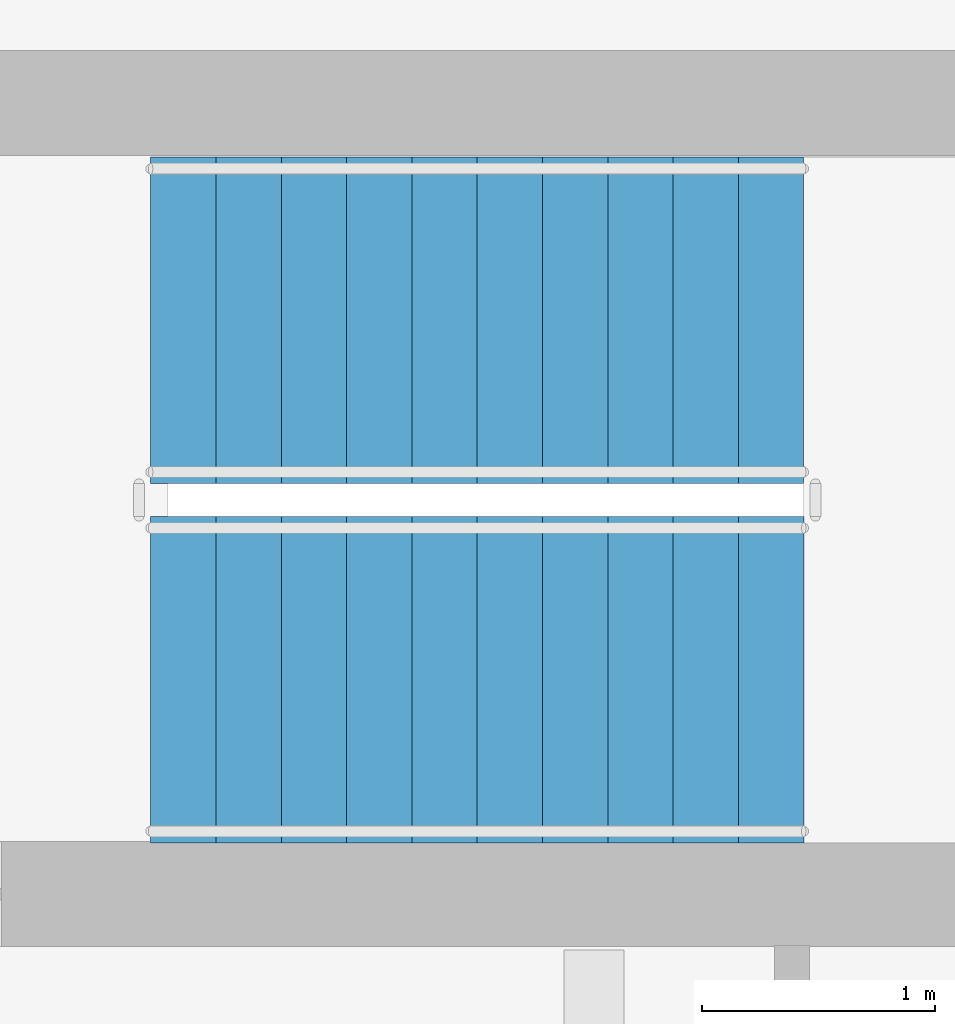
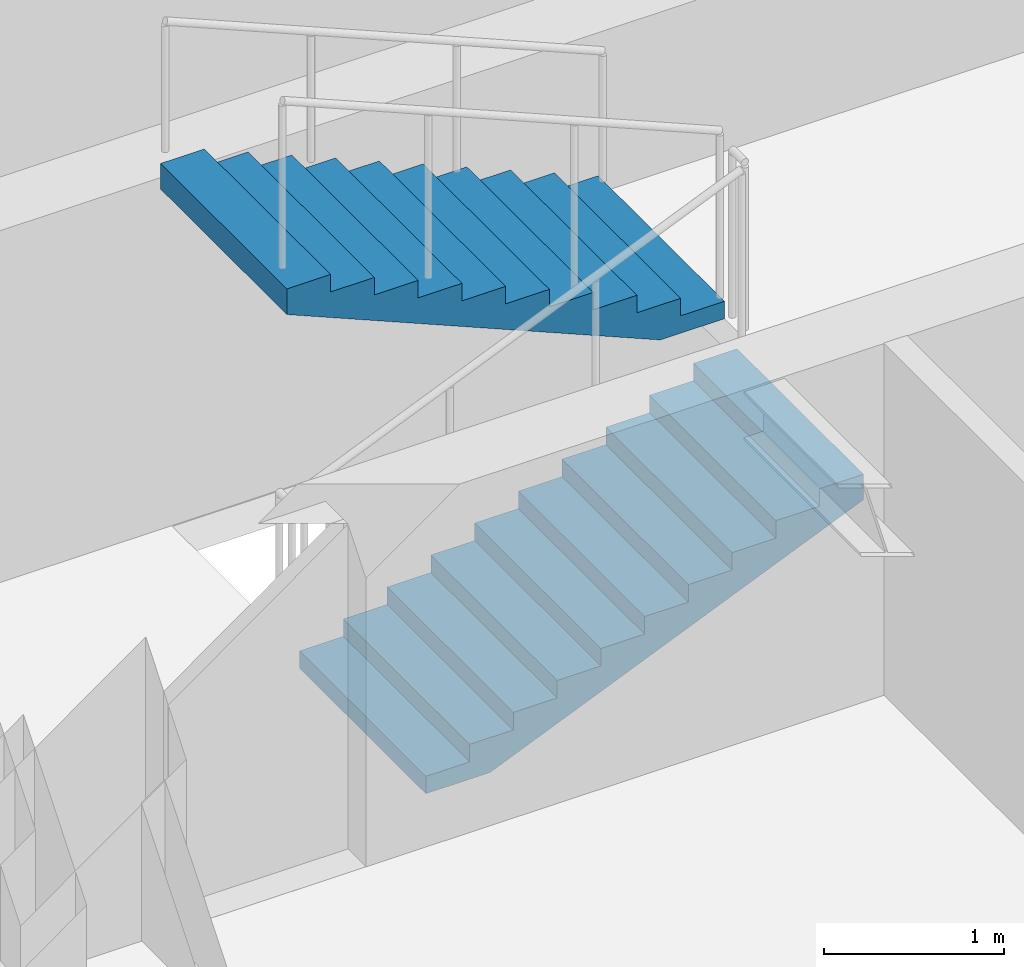
# One storey, part 3 of 4: 2 stair flights, 1 element without a shape of its own.
"""IFC4 building model written with IfcOpenShell, lengths in metres."""

from ifc_helpers import new_model, si_unit, direction, frame, origin, place, context, subcontext, project, spatial, polyline, outline, extrude, material, type_object, element, aggregate, save


model = new_model("IFC4")

# Units and contexts
model_context = context("Model", 3, precision=1e-05, world=origin(), true_north=direction((0.0, 1.0)))
body_context = subcontext(model_context, "Body", "Model", "MODEL_VIEW")
ifc_project = project(units=[si_unit("LENGTHUNIT", "METRE"), si_unit("AREAUNIT", "SQUARE_METRE"), si_unit("VOLUMEUNIT", "CUBIC_METRE"), si_unit("PLANEANGLEUNIT", "RADIAN"), si_unit("MASSUNIT", "GRAM", prefix="KILO")], contexts=[model_context])

# Site, building, storey
site_placement = place(None, origin())
site = spatial("IfcSite", under=ifc_project, at=site_placement, CompositionType="ELEMENT")
building_placement = place(site_placement, origin())
building = spatial("IfcBuilding", under=site, at=building_placement, Name="Mirazonda Arch Towers", CompositionType="ELEMENT")
storey_placement = place(building_placement, frame((0.0, 0.0, 271.300048828125)))
storey = spatial("IfcBuildingStorey", under=building, at=storey_placement, Name="L78", CompositionType="ELEMENT", Elevation=271.300048828125)

# Stair, stair flights
ifc_material = material(Name="Concrete C40/50", Category="concrete")
stair_type = type_object("IfcStairType", Name="STAIR-CORE-1400", PredefinedType="HALF_TURN_STAIR", material=ifc_material)
stair_placement = place(storey_placement, origin())
stair = element("IfcStair", 1, at=stair_placement, inside=storey, type_object=stair_type, Name="L78 Protected Exit Stair ST-T1N", PredefinedType="HALF_TURN_STAIR")
stair_flight_type = type_object("IfcStairFlightType", Name="FLIGHT-1400", PredefinedType="STRAIGHT", material=ifc_material)
stair_flight_1_placement = place(storey_placement, frame((13.85009765625, 38.52001953125, 0.0), z_axis=(0.0, 0.0, 1.0), x_axis=(1.0, 0.0, 0.0)))
stair_flight_1 = element("IfcStairFlight", 2, at=stair_flight_1_placement, type_object=stair_flight_type, Name="ST-T1N flight 1", NumberOfRisers=11, NumberOfTreads=10, PredefinedType="STRAIGHT", RiserHeight=0.118181818, TreadLength=0.28, context=body_context, shape_type="SweptSolid", body=[
    extrude(outline(polyline([(0.0, 0.0), (0.0, 0.1181640625), (0.280029296875, 0.1181640625), (0.280029296875, 0.236328125), (0.56005859375, 0.236328125), (0.56005859375, 0.3544921875), (0.840087890625, 0.3544921875), (0.840087890625, 0.47265625), (1.1201171875, 0.47265625), (1.1201171875, 0.5908203125), (1.39990234375, 0.5908203125), (1.39990234375, 0.708984375), (1.679931640625, 0.708984375), (1.679931640625, 0.827392578125), (1.9599609375, 0.827392578125), (1.9599609375, 0.945556640625), (2.239990234375, 0.945556640625), (2.239990234375, 1.063720703125), (2.52001953125, 1.063720703125), (2.52001953125, 1.181884765625), (2.800048828125, 1.181884765625), (2.800048828125, 1.300048828125), (2.800048828125, 1.00830078125), (0.4111328125, 0.0), (0.0, 0.0)])), frame((0.0, 0.699951171875, 0.0), z_axis=(0.0, -1.0, 0.0), x_axis=(1.0, 0.0, 0.0)), (0.0, 0.0, 1.0), 1.39990234375),
])
stair_flight_2_placement = place(storey_placement, frame((16.64990234375, 40.06005859375, 1.300048828125), z_axis=(0.0, 0.0, 1.0), x_axis=(-1.0, 0.0, 0.0)))
stair_flight_2 = element("IfcStairFlight", 3, at=stair_flight_2_placement, type_object=stair_flight_type, Name="ST-T1N flight 2", NumberOfRisers=11, NumberOfTreads=10, PredefinedType="STRAIGHT", RiserHeight=0.118181818, TreadLength=0.28, context=body_context, shape_type="SweptSolid", body=[
    extrude(outline(polyline([(0.0, 0.0), (0.0, 0.1181640625), (0.280029296875, 0.1181640625), (0.280029296875, 0.236328125), (0.56005859375, 0.236328125), (0.56005859375, 0.3544921875), (0.840087890625, 0.3544921875), (0.840087890625, 0.47265625), (1.1201171875, 0.47265625), (1.1201171875, 0.5908203125), (1.39990234375, 0.5908203125), (1.39990234375, 0.708984375), (1.679931640625, 0.708984375), (1.679931640625, 0.827392578125), (1.9599609375, 0.827392578125), (1.9599609375, 0.945556640625), (2.239990234375, 0.945556640625), (2.239990234375, 1.063720703125), (2.52001953125, 1.063720703125), (2.52001953125, 1.181884765625), (2.800048828125, 1.181884765625), (2.800048828125, 1.300048828125), (2.800048828125, 1.00830078125), (0.4111328125, 0.0), (0.0, 0.0)])), frame((0.0, 0.699951171875, 0.0), z_axis=(0.0, -1.0, 0.0), x_axis=(1.0, 0.0, 0.0)), (0.0, 0.0, 1.0), 1.39990234375),
])
aggregate(stair, [stair_flight_1, stair_flight_2])

save(model, "model.ifc")
